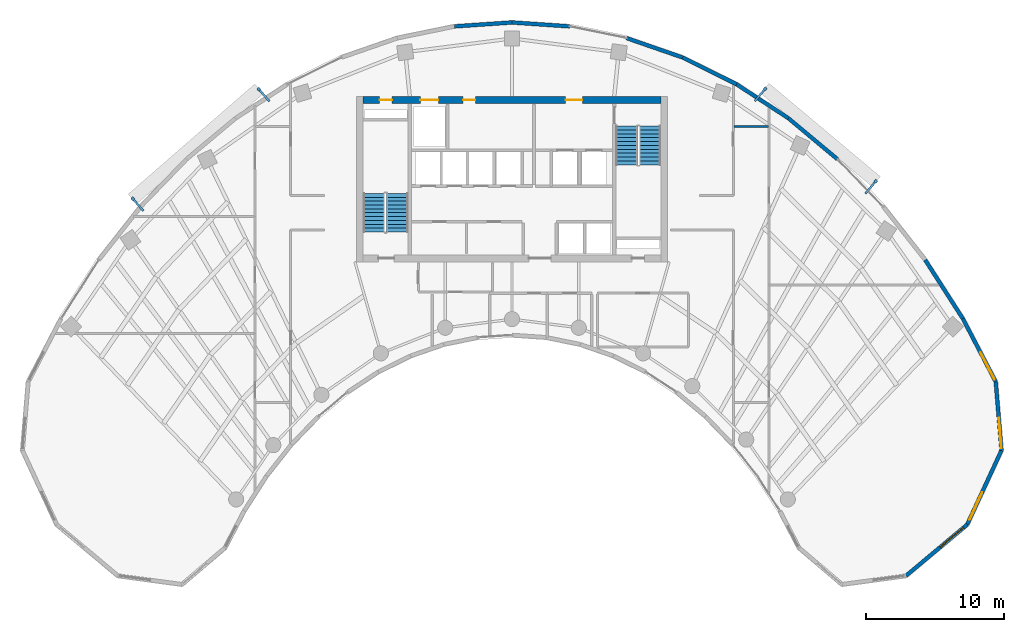
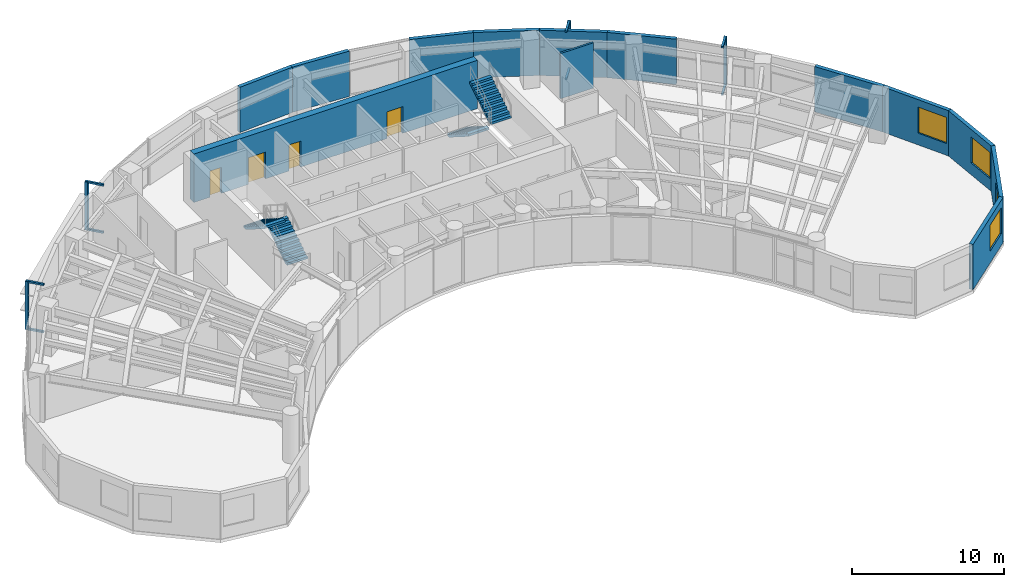
# One storey, part 10 of 12: 13 walls, 12 discrete accessories, 4 doors, 4 stair flights, 4 windows, 8 openings, 2 elements without a shape of their own.
"""IFC4 building model written with IfcOpenShell, lengths in metres."""

from ifc_helpers import new_model, si_unit, direction, frame, frame_2d, origin, origin_2d, place, context, subcontext, project, spatial, polyline, rectangle, outline, extrude, source, transform, mapped, material, layer, layer_set, type_object, type_shapes, element, fill, aggregate, save


model = new_model("IFC4")

# Units and contexts
model_context = context("Model", 3, precision=1e-05, world=origin(), true_north=direction((0.0, 1.0)))
body_context = subcontext(model_context, "Body", "Model", "MODEL_VIEW")
ifc_project = project(units=[si_unit("LENGTHUNIT", "METRE"), si_unit("AREAUNIT", "SQUARE_METRE"), si_unit("VOLUMEUNIT", "CUBIC_METRE"), si_unit("PLANEANGLEUNIT", "RADIAN"), si_unit("MASSUNIT", "GRAM", prefix="KILO")], contexts=[model_context])

# Site, building, storey
site_placement = place(None, origin())
site = spatial("IfcSite", under=ifc_project, at=site_placement, CompositionType="ELEMENT")
building_placement = place(site_placement, origin())
building = spatial("IfcBuilding", under=site, at=building_placement, Name="Breltana Convention Tower", CompositionType="ELEMENT")
storey_placement = place(building_placement, frame((0.0, 0.0, 150.60009765625)))
storey = spatial("IfcBuildingStorey", under=building, at=storey_placement, Name="L36", CompositionType="ELEMENT", Elevation=150.60009765625)

# Wall, openings, doors
ifc_material_1 = material(Name="Concrete C60/75", Category="concrete")
ifc_layer_1 = layer(ifc_material_1, 0.5, Name="Concrete C60/75")
ifc_layer_set_1 = layer_set([ifc_layer_1], Name="Concrete C60/75")
wall_type_1 = type_object("IfcWallType", Name="SW-CORE-500", PredefinedType="SHEAR", material=ifc_layer_set_1)
shared_shape_1 = source(origin(), body_context, "Body", "SweptSolid", [
    extrude(rectangle(XDim=21.60009765625, YDim=0.5, at=frame_2d((10.800048828125, 0.0))), origin(), (0.0, 0.0, 1.0), 3.89990234375),
])
wall_1_placement = place(storey_placement, frame((37.199951171875, 71.949951171875, 0.0), z_axis=(0.0, 0.0, 1.0), x_axis=(1.0, 0.0, 0.0)))
wall_1 = element("IfcWall", 1, at=wall_1_placement, inside=storey, type_object=wall_type_1, Name="L36 North Core Shear Wall", PredefinedType="SHEAR", context=body_context, shape_type="MappedRepresentation", body=[
    mapped(shared_shape_1, transform((0.0, 0.0, 0.0), scale=1.0)),
])
opening_1_placement = place(wall_1_placement, frame((1.199951171875, 0.0, 0.0)))
opening_1 = element("IfcOpeningElement", 2, at=opening_1_placement, cuts=wall_1, Name="Opening D-18", PredefinedType="OPENING", context=body_context, shape_type="SweptSolid", body=[
    extrude(rectangle(XDim=0.89990234375, YDim=2.10009765625, at=frame_2d((0.449951171875, 1.050048828125))), frame((0.0, 0.260009765625, 0.0), z_axis=(0.0, -1.0, 0.0), x_axis=(1.0, 0.0, 0.0)), (0.0, 0.0, 1.0), 0.52001953125),
])
opening_2_placement = place(wall_1_placement, frame((14.699951171875, 0.0, 0.0)))
opening_2 = element("IfcOpeningElement", 3, at=opening_2_placement, cuts=wall_1, Name="Opening D-09", PredefinedType="OPENING", context=body_context, shape_type="SweptSolid", body=[
    extrude(rectangle(XDim=1.199951171875, YDim=2.14990234375, at=frame_2d((0.60009765625, 1.074951171875))), frame((0.0, 0.260009765625, 0.0), z_axis=(0.0, -1.0, 0.0), x_axis=(1.0, 0.0, 0.0)), (0.0, 0.0, 1.0), 0.52001953125),
])
opening_3_placement = place(wall_1_placement, frame((4.14990234375, 0.0, 0.0)))
opening_3 = element("IfcOpeningElement", 4, at=opening_3_placement, cuts=wall_1, Name="Opening LD-01", PredefinedType="OPENING", context=body_context, shape_type="SweptSolid", body=[
    extrude(rectangle(XDim=1.300048828125, YDim=2.14990234375, at=frame_2d((0.64990234375, 1.074951171875))), frame((0.0, 0.260009765625, 0.0), z_axis=(0.0, -1.0, 0.0), x_axis=(1.0, 0.0, 0.0)), (0.0, 0.0, 1.0), 0.52001953125),
])
opening_4_placement = place(wall_1_placement, frame((7.25, 0.0, 0.0)))
opening_4 = element("IfcOpeningElement", 5, at=opening_4_placement, cuts=wall_1, Name="Opening D-18", PredefinedType="OPENING", context=body_context, shape_type="SweptSolid", body=[
    extrude(rectangle(XDim=0.89990234375, YDim=2.10009765625, at=frame_2d((0.449951171875, 1.050048828125))), frame((0.0, 0.260009765625, 0.0), z_axis=(0.0, -1.0, 0.0), x_axis=(1.0, 0.0, 0.0)), (0.0, 0.0, 1.0), 0.52001953125),
])
ifc_material_2 = material(Name="Steel Riser Fire Door", Category="steel")
door_type_1 = type_object("IfcDoorType", Name="DR-FD60-900", OperationType="NOTDEFINED", PredefinedType="DOOR", material=ifc_material_2)
shared_shape_2 = source(origin(), body_context, "Body", "SweptSolid", [
    extrude(rectangle(XDim=0.89990234375, YDim=2.10009765625, at=frame_2d((0.449951171875, 1.050048828125))), frame((0.0, 0.02490234375, 0.0), z_axis=(0.0, -1.0, 0.0), x_axis=(1.0, 0.0, 0.0)), (0.0, 0.0, 1.0), 0.050048828125),
])
type_shapes(door_type_1, [shared_shape_2])
door_1_placement = place(opening_1_placement, origin())
door_1 = element("IfcDoor", 6, at=door_1_placement, inside=storey, type_object=door_type_1, Name="L36 Core Riser Access Door D-L36-RS1", OperationType="SINGLE_SWING_LEFT", OverallHeight=2.10009765625, OverallWidth=0.89990234375, PredefinedType="DOOR", context=body_context, shape_type="MappedRepresentation", body=[
    mapped(shared_shape_2, transform((0.0, 0.0, 0.0), scale=1.0)),
])
fill(opening_1, door_1)
door_2_placement = place(opening_4_placement, origin())
door_2 = element("IfcDoor", 7, at=door_2_placement, inside=storey, type_object=door_type_1, Name="L36 interior door D-L36-CRA1", OperationType="SINGLE_SWING_RIGHT", OverallHeight=2.10009765625, OverallWidth=0.89990234375, PredefinedType="DOOR", context=body_context, shape_type="MappedRepresentation", body=[
    mapped(shared_shape_2, transform((0.0, 0.0, 0.0), scale=1.0)),
])
fill(opening_4, door_2)
ifc_material_3 = material(Name="Steel Fire Lobby Door", Category="steel")
door_type_2 = type_object("IfcDoorType", Name="DR-FD120-1200", OperationType="NOTDEFINED", PredefinedType="DOOR", material=ifc_material_3)
shared_shape_3 = source(origin(), body_context, "Body", "SweptSolid", [
    extrude(rectangle(XDim=1.199951171875, YDim=2.14990234375, at=frame_2d((0.60009765625, 1.074951171875))), frame((0.0, 0.02490234375, 0.0), z_axis=(0.0, -1.0, 0.0), x_axis=(1.0, 0.0, 0.0)), (0.0, 0.0, 1.0), 0.050048828125),
])
type_shapes(door_type_2, [shared_shape_3])
door_3_placement = place(opening_2_placement, origin())
door_3 = element("IfcDoor", 8, at=door_3_placement, inside=storey, type_object=door_type_2, Name="L36 interior door D-L36-FFL-N", OperationType="SINGLE_SWING_RIGHT", OverallHeight=2.14990234375, OverallWidth=1.199951171875, PredefinedType="DOOR", context=body_context, shape_type="MappedRepresentation", body=[
    mapped(shared_shape_3, transform((0.0, 0.0, 0.0), scale=1.0)),
])
fill(opening_2, door_3)
ifc_material_4 = material(Name="Stainless Steel Brushed", Category="steel")
door_type_3 = type_object("IfcDoorType", Name="DR-LD-SRV-1300", OperationType="DOUBLE_DOOR_SLIDING", PredefinedType="DOOR", material=ifc_material_4)
shared_shape_4 = source(origin(), body_context, "Body", "SweptSolid", [
    extrude(rectangle(XDim=1.300048828125, YDim=2.14990234375, at=frame_2d((0.64990234375, 1.074951171875))), frame((0.0, 0.02490234375, 0.0), z_axis=(0.0, -1.0, 0.0), x_axis=(1.0, 0.0, 0.0)), (0.0, 0.0, 1.0), 0.050048828125),
])
type_shapes(door_type_3, [shared_shape_4])
door_4_placement = place(opening_3_placement, origin())
door_4 = element("IfcDoor", 9, at=door_4_placement, inside=storey, type_object=door_type_3, Name="L36 Lift Landing Door D-L36-LD-SV1", OperationType="DOUBLE_DOOR_SLIDING", OverallHeight=2.14990234375, OverallWidth=1.300048828125, PredefinedType="DOOR", context=body_context, shape_type="MappedRepresentation", body=[
    mapped(shared_shape_4, transform((0.0, 0.0, 0.0), scale=1.0)),
])
fill(opening_3, door_4)

# Wall, opening, window
ifc_material_5 = material(Name="Limestone Buff Insulated Wall", Category="masonry")
ifc_layer_2 = layer(ifc_material_5, 0.280029296875, Name="Limestone Buff Insulated Wall")
ifc_layer_set_2 = layer_set([ifc_layer_2], Name="Limestone Buff Insulated Wall")
wall_type_2 = type_object("IfcWallType", Name="WL-EXT-NOSE-280", PredefinedType="SOLIDWALL", material=ifc_layer_set_2)
shared_shape_5 = source(origin(), body_context, "Body", "SweptSolid", [
    extrude(rectangle(XDim=4.994384765625, YDim=0.280029296875, at=frame_2d((2.4970703125, 0.0))), origin(), (0.0, 0.0, 1.0), 3.64990234375),
])
wall_2_placement = place(storey_placement, frame((83.102294921875, 51.48876953125, 0.0), z_axis=(0.0, 0.0, 1.0), x_axis=(0.083344839916, -0.996520766296, 0.0)))
wall_2 = element("IfcWall", 10, at=wall_2_placement, inside=storey, type_object=wall_type_2, Name="L36 curved limestone nose wall E1", PredefinedType="SOLIDWALL", context=body_context, shape_type="MappedRepresentation", body=[
    mapped(shared_shape_5, transform((0.0, 0.0, 0.0), scale=1.0)),
])
opening_5_placement = place(wall_2_placement, frame((2.634521484375, 0.0, 0.949951171875)))
opening_5 = element("IfcOpeningElement", 11, at=opening_5_placement, cuts=wall_2, Name="Opening W-03", PredefinedType="OPENING", context=body_context, shape_type="SweptSolid", body=[
    extrude(rectangle(XDim=2.199951171875, YDim=2.10009765625, at=frame_2d((1.10009765625, 1.050048828125))), frame((0.0, 0.14990234375, 0.0), z_axis=(0.0, -1.0, 0.0), x_axis=(1.0, 0.0, 0.0)), (0.0, 0.0, 1.0), 0.300048828125),
])
ifc_material_6 = material(Name="Glass Low-E Insulated Window", Category="glass")
window_type = type_object("IfcWindowType", Name="WN-NOSE-2200X2100", PartitioningType="TRIPLE_PANEL_VERTICAL", PredefinedType="WINDOW", material=ifc_material_6)
shared_shape_6 = source(origin(), body_context, "Body", "SweptSolid", [
    extrude(rectangle(XDim=2.199951171875, YDim=2.10009765625, at=frame_2d((1.10009765625, 1.050048828125))), frame((0.0, 0.030029296875, 0.0), z_axis=(0.0, -1.0, 0.0), x_axis=(1.0, 0.0, 0.0)), (0.0, 0.0, 1.0), 0.06005859375),
])
type_shapes(window_type, [shared_shape_6])
window_1_placement = place(opening_5_placement, origin())
window_1 = element("IfcWindow", 12, at=window_1_placement, inside=storey, type_object=window_type, Name="L36 nose window E1", OverallHeight=2.10009765625, OverallWidth=2.199951171875, PartitioningType="TRIPLE_PANEL_VERTICAL", PredefinedType="WINDOW", context=body_context, shape_type="MappedRepresentation", body=[
    mapped(shared_shape_6, transform((0.0, 0.0, 0.0), scale=1.0)),
])
fill(opening_5, window_1)

shared_shape_7 = source(origin(), body_context, "Body", "SweptSolid", [
    extrude(rectangle(XDim=5.927490234375, YDim=0.280029296875, at=frame_2d((2.9638671875, 0.0))), origin(), (0.0, 0.0, 1.0), 3.64990234375),
])
wall_3_placement = place(storey_placement, frame((83.5185546875, 46.51171875, 0.0), z_axis=(0.0, 0.0, 1.0), x_axis=(-0.419656204795, -0.907683132914, 0.0)))
wall_3 = element("IfcWall", 13, at=wall_3_placement, inside=storey, type_object=wall_type_2, Name="L36 curved limestone nose wall E2", PredefinedType="SOLIDWALL", context=body_context, shape_type="MappedRepresentation", body=[
    mapped(shared_shape_7, transform((0.0, 0.0, 0.0), scale=1.0)),
])
opening_6_placement = place(wall_3_placement, frame((3.345703125, 0.0, 0.949951171875)))
opening_6 = element("IfcOpeningElement", 14, at=opening_6_placement, cuts=wall_3, Name="Opening W-03", PredefinedType="OPENING", context=body_context, shape_type="SweptSolid", body=[
    extrude(rectangle(XDim=2.199951171875, YDim=2.10009765625, at=frame_2d((1.10009765625, 1.050048828125))), frame((0.0, 0.14990234375, 0.0), z_axis=(0.0, -1.0, 0.0), x_axis=(1.0, 0.0, 0.0)), (0.0, 0.0, 1.0), 0.300048828125),
])
window_2_placement = place(opening_6_placement, origin())
window_2 = element("IfcWindow", 15, at=window_2_placement, inside=storey, type_object=window_type, Name="L36 nose window E2", OverallHeight=2.10009765625, OverallWidth=2.199951171875, PartitioningType="TRIPLE_PANEL_VERTICAL", PredefinedType="WINDOW", context=body_context, shape_type="MappedRepresentation", body=[
    mapped(shared_shape_6, transform((0.0, 0.0, 0.0), scale=1.0)),
])
fill(opening_6, window_2)

shared_shape_8 = source(origin(), body_context, "Body", "SweptSolid", [
    extrude(rectangle(XDim=5.786376953125, YDim=0.280029296875, at=frame_2d((2.89306640625, 0.0))), origin(), (0.0, 0.0, 1.0), 3.64990234375),
])
wall_4_placement = place(storey_placement, frame((81.031005859375, 41.13134765625, 0.0), z_axis=(0.0, 0.0, 1.0), x_axis=(-0.766711306852, -0.641992034176, 0.0)))
wall_4 = element("IfcWall", 16, at=wall_4_placement, inside=storey, type_object=wall_type_2, Name="L36 curved limestone nose wall E3", PredefinedType="SOLIDWALL", context=body_context, shape_type="MappedRepresentation", body=[
    mapped(shared_shape_8, transform((0.0, 0.0, 0.0), scale=1.0)),
])
opening_7_placement = place(wall_4_placement, frame((0.3466796875, 0.0, 0.949951171875)))
opening_7 = element("IfcOpeningElement", 17, at=opening_7_placement, cuts=wall_4, Name="Opening W-03", PredefinedType="OPENING", context=body_context, shape_type="SweptSolid", body=[
    extrude(rectangle(XDim=2.199951171875, YDim=2.10009765625, at=frame_2d((1.10009765625, 1.050048828125))), frame((0.0, 0.14990234375, 0.0), z_axis=(0.0, -1.0, 0.0), x_axis=(1.0, 0.0, 0.0)), (0.0, 0.0, 1.0), 0.300048828125),
])
window_3_placement = place(opening_7_placement, origin())
window_3 = element("IfcWindow", 18, at=window_3_placement, inside=storey, type_object=window_type, Name="L36 nose window E3", OverallHeight=2.10009765625, OverallWidth=2.199951171875, PartitioningType="TRIPLE_PANEL_VERTICAL", PredefinedType="WINDOW", context=body_context, shape_type="MappedRepresentation", body=[
    mapped(shared_shape_6, transform((0.0, 0.0, 0.0), scale=1.0)),
])
fill(opening_7, window_3)

shared_shape_9 = source(origin(), body_context, "Body", "SweptSolid", [
    extrude(rectangle(XDim=5.1708984375, YDim=0.280029296875, at=frame_2d((2.58544921875, 0.0))), origin(), (0.0, 0.0, 1.0), 3.64990234375),
])
wall_5_placement = place(storey_placement, frame((80.714599609375, 56.075439453125, 0.0), z_axis=(0.0, 0.0, 1.0), x_axis=(0.461752581363, -0.887008767491, 0.0)))
wall_5 = element("IfcWall", 19, at=wall_5_placement, inside=storey, type_object=wall_type_2, Name="L36 curved limestone nose wall E34", PredefinedType="SOLIDWALL", context=body_context, shape_type="MappedRepresentation", body=[
    mapped(shared_shape_9, transform((0.0, 0.0, 0.0), scale=1.0)),
])
opening_8_placement = place(wall_5_placement, frame((2.7783203125, 0.0, 0.949951171875)))
opening_8 = element("IfcOpeningElement", 20, at=opening_8_placement, cuts=wall_5, Name="Opening W-03", PredefinedType="OPENING", context=body_context, shape_type="SweptSolid", body=[
    extrude(rectangle(XDim=2.199951171875, YDim=2.10009765625, at=frame_2d((1.10009765625, 1.050048828125))), frame((0.0, 0.14990234375, 0.0), z_axis=(0.0, -1.0, 0.0), x_axis=(1.0, 0.0, 0.0)), (0.0, 0.0, 1.0), 0.300048828125),
])
window_4_placement = place(opening_8_placement, origin())
window_4 = element("IfcWindow", 21, at=window_4_placement, inside=storey, type_object=window_type, Name="L36 nose window E34", OverallHeight=2.10009765625, OverallWidth=2.199951171875, PartitioningType="TRIPLE_PANEL_VERTICAL", PredefinedType="WINDOW", context=body_context, shape_type="MappedRepresentation", body=[
    mapped(shared_shape_6, transform((0.0, 0.0, 0.0), scale=1.0)),
])
fill(opening_8, window_4)

# Walls
shared_shape_10 = source(origin(), body_context, "Body", "SweptSolid", [
    extrude(rectangle(XDim=4.633544921875, YDim=0.280029296875, at=frame_2d((2.31689453125, 0.0))), origin(), (0.0, 0.0, 1.0), 3.64990234375),
])
wall_6_placement = place(storey_placement, frame((68.060791015625, 70.610107421875, 0.0), z_axis=(0.0, 0.0, 1.0), x_axis=(0.767910229096, -0.640557475993, 0.0)))
element("IfcWall", 22, at=wall_6_placement, inside=storey, type_object=wall_type_2, Name="L36 curved limestone nose wall E31", PredefinedType="SOLIDWALL", context=body_context, shape_type="MappedRepresentation", body=[
    mapped(shared_shape_10, transform((0.0, 0.0, 0.0), scale=1.0)),
])
shared_shape_11 = source(origin(), body_context, "Body", "SweptSolid", [
    extrude(rectangle(XDim=4.500732421875, YDim=0.280029296875, at=frame_2d((2.25048828125, 0.0))), origin(), (0.0, 0.0, 1.0), 3.64990234375),
])
wall_7_placement = place(storey_placement, frame((64.29833984375, 73.079833984375, 0.0), z_axis=(0.0, 0.0, 1.0), x_axis=(0.835984920737, -0.548752414391, 0.0)))
element("IfcWall", 23, at=wall_7_placement, inside=storey, type_object=wall_type_2, Name="L36 curved limestone nose wall E30", PredefinedType="SOLIDWALL", context=body_context, shape_type="MappedRepresentation", body=[
    mapped(shared_shape_11, transform((0.0, 0.0, 0.0), scale=1.0)),
])
shared_shape_12 = source(origin(), body_context, "Body", "SweptSolid", [
    extrude(rectangle(XDim=4.289794921875, YDim=0.280029296875, at=frame_2d((2.14501953125, 0.0))), origin(), (0.0, 0.0, 1.0), 3.64990234375),
])
wall_8_placement = place(storey_placement, frame((56.31689453125, 76.431396484375, 0.0), z_axis=(0.0, 0.0, 1.0), x_axis=(0.944883859218, -0.3274057003, 0.0)))
element("IfcWall", 24, at=wall_8_placement, inside=storey, type_object=wall_type_2, Name="L36 curved limestone nose wall E28", PredefinedType="SOLIDWALL", context=body_context, shape_type="MappedRepresentation", body=[
    mapped(shared_shape_12, transform((0.0, 0.0, 0.0), scale=1.0)),
])
shared_shape_13 = source(origin(), body_context, "Body", "SweptSolid", [
    extrude(rectangle(XDim=4.189208984375, YDim=0.280029296875, at=frame_2d((2.0947265625, 0.0))), origin(), (0.0, 0.0, 1.0), 3.64990234375),
])
for number, where, z_axis, x_axis, name in (
    (25, (43.8203125, 77.27978515625, 0.0), (0.0, 0.0, 1.0), (0.997700560699, 0.067776036921, 0.0), "L36 curved limestone nose wall E26"),
    (26, (48.0, 77.563720703125, 0.0), (0.0, 0.0, 1.0), (0.997700560699, -0.067776036921, 0.0), "L36 curved limestone nose wall E27"),
):
    element("IfcWall", number, at=place(storey_placement, frame(where, z_axis=z_axis, x_axis=x_axis)), inside=storey, type_object=wall_type_2, Name=name, PredefinedType="SOLIDWALL", context=body_context, shape_type="MappedRepresentation", body=[
        mapped(shared_shape_13, transform((0.0, 0.0, 0.0), scale=1.0)),
    ])
shared_shape_14 = source(origin(), body_context, "Body", "SweptSolid", [
    extrude(rectangle(XDim=4.384033203125, YDim=0.280029296875, at=frame_2d((2.19189453125, 0.0))), origin(), (0.0, 0.0, 1.0), 3.64990234375),
])
wall_9_placement = place(storey_placement, frame((60.370361328125, 75.02685546875, 0.0), z_axis=(0.0, 0.0, 1.0), x_axis=(0.895969968053, -0.444114643248, 0.0)))
element("IfcWall", 27, at=wall_9_placement, inside=storey, type_object=wall_type_2, Name="L36 curved limestone nose wall E29", PredefinedType="SOLIDWALL", context=body_context, shape_type="MappedRepresentation", body=[
    mapped(shared_shape_14, transform((0.0, 0.0, 0.0), scale=1.0)),
])
shared_shape_15 = source(origin(), body_context, "Body", "SweptSolid", [
    extrude(rectangle(XDim=5.064697265625, YDim=0.280029296875, at=frame_2d((2.5322265625, 0.0))), origin(), (0.0, 0.0, 1.0), 3.64990234375),
])
wall_10_placement = place(storey_placement, frame((77.978759765625, 60.337646484375, 0.0), z_axis=(0.0, 0.0, 1.0), x_axis=(0.540177618806, -0.841551032404, 0.0)))
element("IfcWall", 28, at=wall_10_placement, inside=storey, type_object=wall_type_2, Name="L36 curved limestone nose wall E33", PredefinedType="SOLIDWALL", context=body_context, shape_type="MappedRepresentation", body=[
    mapped(shared_shape_15, transform((0.0, 0.0, 0.0), scale=1.0)),
])
ifc_material_7 = material(Name="Gypsum Acoustic Drywall Partition")
ifc_layer_3 = layer(ifc_material_7, 0.14990234375, Name="Gypsum Acoustic Drywall Partition")
ifc_layer_set_3 = layer_set([ifc_layer_3], Name="Gypsum Acoustic Drywall Partition")
wall_type_3 = type_object("IfcWallType", Name="WL-PART-150", PredefinedType="PARTITIONING", material=ifc_layer_set_3)
shared_shape_16 = source(origin(), body_context, "Body", "SweptSolid", [
    extrude(rectangle(XDim=2.5, YDim=0.14990234375, at=frame_2d((1.25, 0.0))), origin(), (0.0, 0.0, 1.0), 3.64990234375),
])
wall_11_placement = place(storey_placement, frame((64.10009765625, 70.0, 0.0), z_axis=(0.0, 0.0, 1.0), x_axis=(1.0, 0.0, 0.0)))
element("IfcWall", 29, at=wall_11_placement, inside=storey, type_object=wall_type_3, Name="L36 interior partition W-L36-CORNE-N", PredefinedType="PARTITIONING", context=body_context, shape_type="MappedRepresentation", body=[
    mapped(shared_shape_16, transform((0.0, 0.0, 0.0), scale=1.0)),
])

# Stair, stair flights
ifc_material_8 = material(Name="Concrete C40/50", Category="concrete")
stair_type = type_object("IfcStairType", Name="ST-DOG-1560-R177", PredefinedType="HALF_TURN_STAIR", material=ifc_material_8)
stair_1_placement = place(storey_placement, origin())
stair_1 = element("IfcStair", 30, at=stair_1_placement, inside=storey, type_object=stair_type, Name="L36 Protected Core Exit Stair ST-1", PredefinedType="HALF_TURN_STAIR")
stair_flight_type = type_object("IfcStairFlightType", Name="STF-DOG-1560-N11-R177", PredefinedType="STRAIGHT", material=ifc_material_8)
stair_flight_1_placement = place(storey_placement, frame((39.68994140625, 62.360107421875, 0.0), z_axis=(0.0, 0.0, 1.0), x_axis=(0.0, 1.0, 0.0)))
stair_flight_1 = element("IfcStairFlight", 31, at=stair_flight_1_placement, type_object=stair_flight_type, Name="ST-1 flight 1", NumberOfRisers=11, NumberOfTreads=10, PredefinedType="STRAIGHT", RiserHeight=0.177272727, TreadLength=0.28, context=body_context, shape_type="SweptSolid", body=[
    extrude(outline(polyline([(0.0, 0.0), (0.0, 0.17724609375), (0.280029296875, 0.17724609375), (0.280029296875, 0.3544921875), (0.56005859375, 0.3544921875), (0.56005859375, 0.53173828125), (0.840087890625, 0.53173828125), (0.840087890625, 0.708984375), (1.1201171875, 0.708984375), (1.1201171875, 0.886474609375), (1.39990234375, 0.886474609375), (1.39990234375, 1.063720703125), (1.679931640625, 1.063720703125), (1.679931640625, 1.240966796875), (1.9599609375, 1.240966796875), (1.9599609375, 1.418212890625), (2.239990234375, 1.418212890625), (2.239990234375, 1.595458984375), (2.52001953125, 1.595458984375), (2.52001953125, 1.772705078125), (2.800048828125, 1.772705078125), (2.800048828125, 1.949951171875), (2.800048828125, 1.59521484375), (0.2802734375, 0.0), (0.0, 0.0)])), frame((0.0, 0.780029296875, 0.0), z_axis=(0.0, -1.0, 0.0), x_axis=(1.0, 0.0, 0.0)), (0.0, 0.0, 1.0), 1.56005859375),
])
stair_flight_2_placement = place(storey_placement, frame((37.97998046875, 65.159912109375, 1.949951171875), z_axis=(0.0, 0.0, 1.0), x_axis=(0.0, -1.0, 0.0)))
stair_flight_2 = element("IfcStairFlight", 32, at=stair_flight_2_placement, type_object=stair_flight_type, Name="ST-1 flight 2", NumberOfRisers=11, NumberOfTreads=10, PredefinedType="STRAIGHT", RiserHeight=0.177272727, TreadLength=0.28, context=body_context, shape_type="SweptSolid", body=[
    extrude(outline(polyline([(0.0, 0.0), (0.0, 0.17724609375), (0.280029296875, 0.17724609375), (0.280029296875, 0.3544921875), (0.56005859375, 0.3544921875), (0.56005859375, 0.53173828125), (0.840087890625, 0.53173828125), (0.840087890625, 0.708984375), (1.1201171875, 0.708984375), (1.1201171875, 0.886474609375), (1.39990234375, 0.886474609375), (1.39990234375, 1.063720703125), (1.679931640625, 1.063720703125), (1.679931640625, 1.240966796875), (1.9599609375, 1.240966796875), (1.9599609375, 1.418212890625), (2.239990234375, 1.418212890625), (2.239990234375, 1.595458984375), (2.52001953125, 1.595458984375), (2.52001953125, 1.772705078125), (2.800048828125, 1.772705078125), (2.800048828125, 1.949951171875), (2.800048828125, 1.59521484375), (0.2802734375, 0.0), (0.0, 0.0)])), frame((0.0, 0.780029296875, 0.0), z_axis=(0.0, -1.0, 0.0), x_axis=(1.0, 0.0, 0.0)), (0.0, 0.0, 1.0), 1.56005859375),
])
aggregate(stair_1, [stair_flight_1, stair_flight_2])

stair_2_placement = place(storey_placement, origin())
stair_2 = element("IfcStair", 33, at=stair_2_placement, inside=storey, type_object=stair_type, Name="L36 Protected Core Exit Stair ST-2", PredefinedType="HALF_TURN_STAIR")
stair_flight_3_placement = place(storey_placement, frame((56.31005859375, 70.0400390625, 0.0), z_axis=(0.0, 0.0, 1.0), x_axis=(0.0, -1.0, 0.0)))
stair_flight_3 = element("IfcStairFlight", 34, at=stair_flight_3_placement, type_object=stair_flight_type, Name="ST-2 flight 1", NumberOfRisers=11, NumberOfTreads=10, PredefinedType="STRAIGHT", RiserHeight=0.177272727, TreadLength=0.28, context=body_context, shape_type="SweptSolid", body=[
    extrude(outline(polyline([(0.0, 0.0), (0.0, 0.17724609375), (0.280029296875, 0.17724609375), (0.280029296875, 0.3544921875), (0.56005859375, 0.3544921875), (0.56005859375, 0.53173828125), (0.840087890625, 0.53173828125), (0.840087890625, 0.708984375), (1.1201171875, 0.708984375), (1.1201171875, 0.886474609375), (1.39990234375, 0.886474609375), (1.39990234375, 1.063720703125), (1.679931640625, 1.063720703125), (1.679931640625, 1.240966796875), (1.9599609375, 1.240966796875), (1.9599609375, 1.418212890625), (2.239990234375, 1.418212890625), (2.239990234375, 1.595458984375), (2.52001953125, 1.595458984375), (2.52001953125, 1.772705078125), (2.800048828125, 1.772705078125), (2.800048828125, 1.949951171875), (2.800048828125, 1.59521484375), (0.2802734375, 0.0), (0.0, 0.0)])), frame((0.0, 0.780029296875, 0.0), z_axis=(0.0, -1.0, 0.0), x_axis=(1.0, 0.0, 0.0)), (0.0, 0.0, 1.0), 1.56005859375),
])
stair_flight_4_placement = place(storey_placement, frame((58.02001953125, 67.239990234375, 1.949951171875), z_axis=(0.0, 0.0, 1.0), x_axis=(0.0, 1.0, 0.0)))
stair_flight_4 = element("IfcStairFlight", 35, at=stair_flight_4_placement, type_object=stair_flight_type, Name="ST-2 flight 2", NumberOfRisers=11, NumberOfTreads=10, PredefinedType="STRAIGHT", RiserHeight=0.177272727, TreadLength=0.28, context=body_context, shape_type="SweptSolid", body=[
    extrude(outline(polyline([(0.0, 0.0), (0.0, 0.17724609375), (0.280029296875, 0.17724609375), (0.280029296875, 0.3544921875), (0.56005859375, 0.3544921875), (0.56005859375, 0.53173828125), (0.840087890625, 0.53173828125), (0.840087890625, 0.708984375), (1.1201171875, 0.708984375), (1.1201171875, 0.886474609375), (1.39990234375, 0.886474609375), (1.39990234375, 1.063720703125), (1.679931640625, 1.063720703125), (1.679931640625, 1.240966796875), (1.9599609375, 1.240966796875), (1.9599609375, 1.418212890625), (2.239990234375, 1.418212890625), (2.239990234375, 1.595458984375), (2.52001953125, 1.595458984375), (2.52001953125, 1.772705078125), (2.800048828125, 1.772705078125), (2.800048828125, 1.949951171875), (2.800048828125, 1.59521484375), (0.2802734375, 0.0), (0.0, 0.0)])), frame((0.0, 0.780029296875, 0.0), z_axis=(0.0, -1.0, 0.0), x_axis=(1.0, 0.0, 0.0)), (0.0, 0.0, 1.0), 1.56005859375),
])
aggregate(stair_2, [stair_flight_3, stair_flight_4])

# Discrete accessories
ifc_material_9 = material(Name="Steel S355", Category="steel")
discrete_accessory_type_1 = type_object("IfcDiscreteAccessoryType", Name="ACC-DSF-BRACKET-150", PredefinedType="BRACKET", material=ifc_material_9)
shared_shape_17 = source(origin(), body_context, "Body", "SweptSolid", [
    extrude(rectangle(XDim=1.239990234375, YDim=0.14990234375, at=origin_2d()), origin(), (0.0, 0.0, 1.0), 0.139892578125),
])
type_shapes(discrete_accessory_type_1, [shared_shape_17])
for number, where, z_axis, x_axis, name in (
    (36, (20.849853515625, 64.353271484375, -0.16015625), (0.0, 0.0, 1.0), (-0.65645558996, 0.754364672032, 0.0), "L36 double-skin slab stand-off bracket 1.1B"),
    (37, (20.849853515625, 64.353271484375, 3.64990234375), (0.0, 0.0, 1.0), (-0.65645558996, 0.754364672032, 0.0), "L36 double-skin slab stand-off bracket 1.1T"),
    (38, (29.988525390625, 72.305908203125, -0.16015625), (0.0, 0.0, 1.0), (-0.65645558996, 0.754364672032, 0.0), "L36 double-skin slab stand-off bracket 1.2B"),
    (39, (29.988525390625, 72.305908203125, 3.64990234375), (0.0, 0.0, 1.0), (-0.65645558996, 0.754364672032, 0.0), "L36 double-skin slab stand-off bracket 1.2T"),
    (40, (66.019287109375, 72.327880859375, -0.16015625), (0.0, 0.0, 1.0), (0.641989340657, 0.766713562214, 0.0), "L36 double-skin slab stand-off bracket 2.1B"),
    (41, (66.019287109375, 72.327880859375, 3.64990234375), (0.0, 0.0, 1.0), (0.641989340657, 0.766713562214, 0.0), "L36 double-skin slab stand-off bracket 2.1T"),
    (42, (74.037841796875, 65.61376953125, -0.16015625), (0.0, 0.0, 1.0), (0.641989340657, 0.766713562214, 0.0), "L36 double-skin slab stand-off bracket 2.2B"),
    (43, (74.037841796875, 65.61376953125, 3.64990234375), (0.0, 0.0, 1.0), (0.641989340657, 0.766713562214, 0.0), "L36 double-skin slab stand-off bracket 2.2T"),
):
    element("IfcDiscreteAccessory", number, at=place(storey_placement, frame(where, z_axis=z_axis, x_axis=x_axis)), inside=storey, type_object=discrete_accessory_type_1, Name=name, PredefinedType="BRACKET", context=body_context, shape_type="MappedRepresentation", body=[
        mapped(shared_shape_17, transform((0.0, 0.0, 0.0), scale=1.0)),
    ])
discrete_accessory_type_2 = type_object("IfcDiscreteAccessoryType", Name="ACC-DSF-CARRIER-150", PredefinedType="BRACKET", material=ifc_material_9)
shared_shape_18 = source(origin(), body_context, "Body", "SweptSolid", [
    extrude(rectangle(XDim=0.219970703125, YDim=0.219970703125, at=origin_2d()), origin(), (0.0, 0.0, 1.0), 3.8701171875),
])
for number, where, z_axis, x_axis, name in (
    (44, (20.482177734375, 64.77587890625, -0.1201171875), (0.0, 0.0, 1.0), (-0.65645558996, 0.754364672032, 0.0), "L36 double-skin outer vertical carrier 1.1"),
    (45, (29.620849609375, 72.728271484375, -0.1201171875), (0.0, 0.0, 1.0), (-0.65645558996, 0.754364672032, 0.0), "L36 double-skin outer vertical carrier 1.2"),
    (46, (66.37890625, 72.757080078125, -0.1201171875), (0.0, 0.0, 1.0), (0.641989340657, 0.766713562214, 0.0), "L36 double-skin outer vertical carrier 2.1"),
    (47, (74.3974609375, 66.043212890625, -0.1201171875), (0.0, 0.0, 1.0), (0.641989340657, 0.766713562214, 0.0), "L36 double-skin outer vertical carrier 2.2"),
):
    element("IfcDiscreteAccessory", number, at=place(storey_placement, frame(where, z_axis=z_axis, x_axis=x_axis)), inside=storey, type_object=discrete_accessory_type_2, Name=name, PredefinedType="BRACKET", context=body_context, shape_type="MappedRepresentation", body=[
        mapped(shared_shape_18, transform((0.0, 0.0, 0.0), scale=1.0)),
    ])

save(model, "model.ifc")
